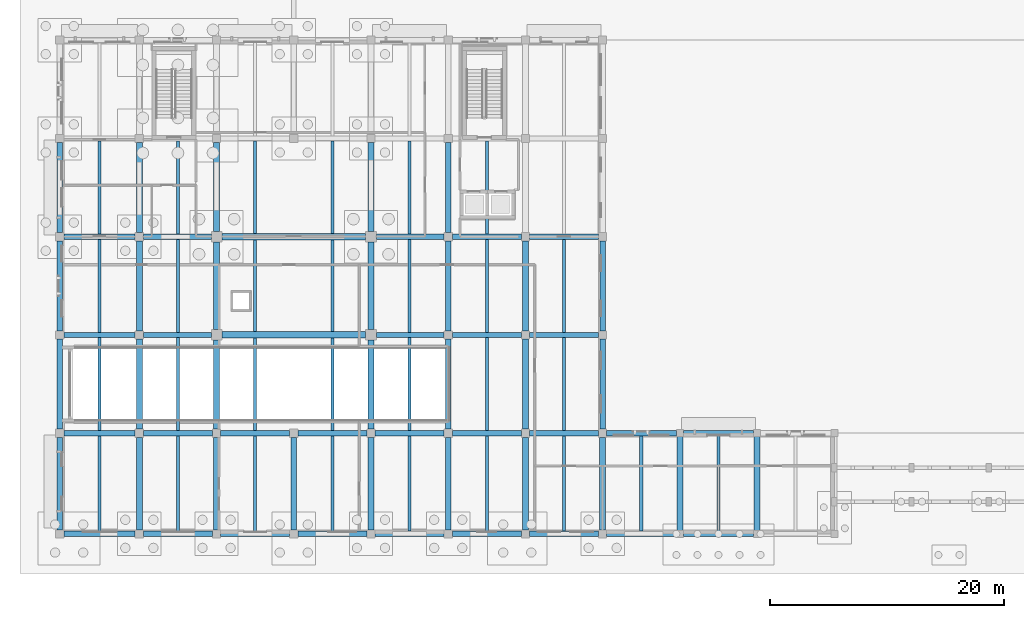
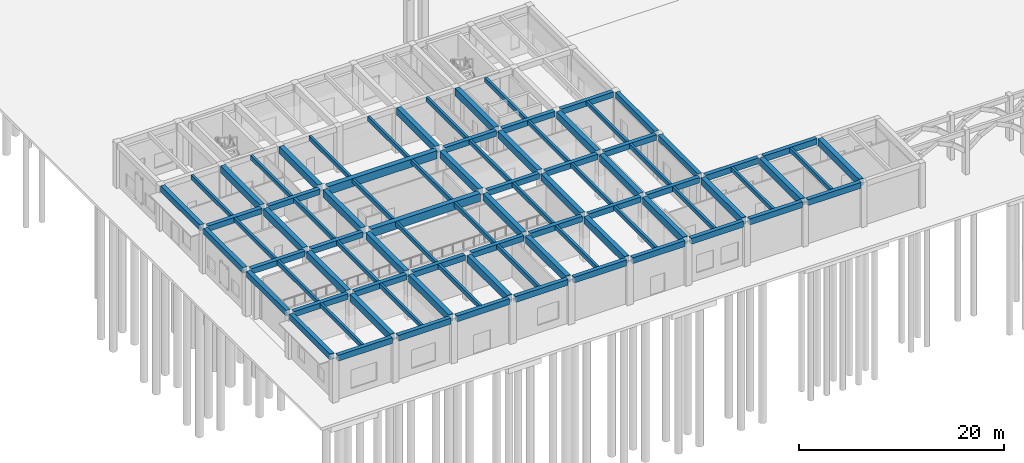
# One storey, part 21 of 82: 88 beams.
"""IFC4 building model written with IfcOpenShell, lengths in metres."""

from ifc_helpers import new_model, si_unit, direction, frame, origin, origin_2d, place, context, subcontext, project, spatial, rectangle, extrude, material, material_profile, profile_set, type_object, element, save


model = new_model("IFC4")

# Units and contexts
model_context = context("Model", 3, precision=1e-05, world=origin(), true_north=direction((0.0, 1.0)))
body_context = subcontext(model_context, "Body", "Model", "MODEL_VIEW")
ifc_project = project(units=[si_unit("LENGTHUNIT", "METRE"), si_unit("AREAUNIT", "SQUARE_METRE"), si_unit("VOLUMEUNIT", "CUBIC_METRE"), si_unit("PLANEANGLEUNIT", "RADIAN"), si_unit("MASSUNIT", "GRAM", prefix="KILO")], contexts=[model_context])

# Site, building, storey
site_placement = place(None, origin())
site = spatial("IfcSite", under=ifc_project, at=site_placement, CompositionType="ELEMENT")
building_placement = place(site_placement, origin())
building = spatial("IfcBuilding", under=site, at=building_placement, Name="Kolvaren Faculty of Natural Sciences", CompositionType="ELEMENT")
storey_placement = place(building_placement, origin())
storey = spatial("IfcBuildingStorey", under=building, at=storey_placement, Name="L00", CompositionType="ELEMENT", Elevation=0.0)

# Beams
ifc_material_1 = material(Name="Concrete C35/45", Category="concrete")
ifc_material_profile_1 = material_profile(ifc_material_1, rectangle(XDim=0.449951171875, YDim=0.64990234375, at=origin_2d()), Name="RC BM 450x650")
ifc_profile_set_1 = profile_set([ifc_material_profile_1], Name="Concrete C35/45")
beam_type_1 = type_object("IfcBeamType", Name="GridBeam_450x650", PredefinedType="BEAM", material=ifc_profile_set_1)
beam_1_placement = place(storey_placement, frame((0.35009765625, 8.60009765625, 5.074951171875), z_axis=(1.0, 0.0, 0.0), x_axis=(0.0, 1.0, 0.0)))
element("IfcBeam", 1, at=beam_1_placement, inside=storey, type_object=beam_type_1, Name="L00 beam BM-65 on grid B", PredefinedType="BEAM", context=body_context, shape_type="SweptSolid", body=[
    extrude(rectangle(XDim=0.449951171875, YDim=0.64990234375, at=origin_2d()), origin(), (0.0, 0.0, 1.0), 6.099853515625),
])
beam_2_placement = place(storey_placement, frame((7.14990234375, 8.60009765625, 5.074951171875), z_axis=(1.0, 0.0, 0.0), x_axis=(0.0, 1.0, 0.0)))
element("IfcBeam", 2, at=beam_2_placement, inside=storey, type_object=beam_type_1, Name="L00 beam BM-65 on grid B", PredefinedType="BEAM", context=body_context, shape_type="SweptSolid", body=[
    extrude(rectangle(XDim=0.449951171875, YDim=0.64990234375, at=origin_2d()), origin(), (0.0, 0.0, 1.0), 5.900146484375),
])
for number, where, z_axis, x_axis, name in (
    (3, (13.75, 8.60009765625, 5.074951171875), (1.0, 0.0, 0.0), (0.0, 1.0, 0.0), "L00 beam BM-65 on grid B"),
    (4, (20.35009765625, 8.60009765625, 5.074951171875), (1.0, 0.0, 0.0), (0.0, 1.0, 0.0), "L00 beam BM-65 on grid B"),
):
    element("IfcBeam", number, at=place(storey_placement, frame(where, z_axis=z_axis, x_axis=x_axis)), inside=storey, type_object=beam_type_1, Name=name, PredefinedType="BEAM", context=body_context, shape_type="SweptSolid", body=[
        extrude(rectangle(XDim=0.449951171875, YDim=0.64990234375, at=origin_2d()), origin(), (0.0, 0.0, 1.0), 5.89990234375),
    ])
beam_3_placement = place(storey_placement, frame((26.949951171875, 8.60009765625, 5.074951171875), z_axis=(1.0, 0.0, 0.0), x_axis=(0.0, 1.0, 0.0)))
element("IfcBeam", 5, at=beam_3_placement, inside=storey, type_object=beam_type_1, Name="L00 beam BM-65 on grid B", PredefinedType="BEAM", context=body_context, shape_type="SweptSolid", body=[
    extrude(rectangle(XDim=0.449951171875, YDim=0.64990234375, at=origin_2d()), origin(), (0.0, 0.0, 1.0), 5.900146484375),
])
beam_4_placement = place(storey_placement, frame((33.550048828125, 8.60009765625, 5.074951171875), z_axis=(1.0, 0.0, 0.0), x_axis=(0.0, 1.0, 0.0)))
element("IfcBeam", 6, at=beam_4_placement, inside=storey, type_object=beam_type_1, Name="L00 beam BM-65 on grid B", PredefinedType="BEAM", context=body_context, shape_type="SweptSolid", body=[
    extrude(rectangle(XDim=0.449951171875, YDim=0.64990234375, at=origin_2d()), origin(), (0.0, 0.0, 1.0), 5.89990234375),
])
beam_5_placement = place(storey_placement, frame((40.14990234375, 8.60009765625, 5.074951171875), z_axis=(1.0, 0.0, 0.0), x_axis=(0.0, 1.0, 0.0)))
element("IfcBeam", 7, at=beam_5_placement, inside=storey, type_object=beam_type_1, Name="L00 beam BM-65 on grid B", PredefinedType="BEAM", context=body_context, shape_type="SweptSolid", body=[
    extrude(rectangle(XDim=0.449951171875, YDim=0.64990234375, at=origin_2d()), origin(), (0.0, 0.0, 1.0), 5.900146484375),
])
beam_6_placement = place(storey_placement, frame((0.35009765625, 17.0, 5.074951171875), z_axis=(1.0, 0.0, 0.0), x_axis=(0.0, 1.0, 0.0)))
element("IfcBeam", 8, at=beam_6_placement, inside=storey, type_object=beam_type_1, Name="L00 beam BM-65 on grid C", PredefinedType="BEAM", context=body_context, shape_type="SweptSolid", body=[
    extrude(rectangle(XDim=0.449951171875, YDim=0.64990234375, at=origin_2d()), origin(), (0.0, 0.0, 1.0), 6.099853515625),
])
for number, where, z_axis, x_axis, name in (
    (9, (7.14990234375, 17.0, 5.074951171875), (1.0, 0.0, 0.0), (0.0, 1.0, 0.0), "L00 beam BM-65 on grid C"),
    (10, (27.050048828125, 17.0, 5.074951171875), (1.0, 0.0, 0.0), (0.0, 1.0, 0.0), "L00 beam BM-65 on grid C"),
):
    element("IfcBeam", number, at=place(storey_placement, frame(where, z_axis=z_axis, x_axis=x_axis)), inside=storey, type_object=beam_type_1, Name=name, PredefinedType="BEAM", context=body_context, shape_type="SweptSolid", body=[
        extrude(rectangle(XDim=0.449951171875, YDim=0.64990234375, at=origin_2d()), origin(), (0.0, 0.0, 1.0), 5.800048828125),
    ])
beam_7_placement = place(storey_placement, frame((33.550048828125, 17.0, 5.074951171875), z_axis=(1.0, 0.0, 0.0), x_axis=(0.0, 1.0, 0.0)))
element("IfcBeam", 11, at=beam_7_placement, inside=storey, type_object=beam_type_1, Name="L00 beam BM-65 on grid C", PredefinedType="BEAM", context=body_context, shape_type="SweptSolid", body=[
    extrude(rectangle(XDim=0.449951171875, YDim=0.64990234375, at=origin_2d()), origin(), (0.0, 0.0, 1.0), 5.89990234375),
])
beam_8_placement = place(storey_placement, frame((40.14990234375, 17.0, 5.074951171875), z_axis=(1.0, 0.0, 0.0), x_axis=(0.0, 1.0, 0.0)))
element("IfcBeam", 12, at=beam_8_placement, inside=storey, type_object=beam_type_1, Name="L00 beam BM-65 on grid C", PredefinedType="BEAM", context=body_context, shape_type="SweptSolid", body=[
    extrude(rectangle(XDim=0.449951171875, YDim=0.64990234375, at=origin_2d()), origin(), (0.0, 0.0, 1.0), 5.900146484375),
])
beam_9_placement = place(storey_placement, frame((0.35009765625, 25.39990234375, 5.074951171875), z_axis=(1.0, 0.0, 0.0), x_axis=(0.0, 1.0, 0.0)))
element("IfcBeam", 13, at=beam_9_placement, inside=storey, type_object=beam_type_1, Name="L00 beam BM-65 on grid D", PredefinedType="BEAM", context=body_context, shape_type="SweptSolid", body=[
    extrude(rectangle(XDim=0.449951171875, YDim=0.64990234375, at=origin_2d()), origin(), (0.0, 0.0, 1.0), 6.099853515625),
])
for number, where, z_axis, x_axis, name in (
    (14, (7.14990234375, 25.39990234375, 5.074951171875), (1.0, 0.0, 0.0), (0.0, 1.0, 0.0), "L00 beam BM-65 on grid D"),
    (15, (27.050048828125, 25.39990234375, 5.074951171875), (1.0, 0.0, 0.0), (0.0, 1.0, 0.0), "L00 beam BM-65 on grid D"),
):
    element("IfcBeam", number, at=place(storey_placement, frame(where, z_axis=z_axis, x_axis=x_axis)), inside=storey, type_object=beam_type_1, Name=name, PredefinedType="BEAM", context=body_context, shape_type="SweptSolid", body=[
        extrude(rectangle(XDim=0.449951171875, YDim=0.64990234375, at=origin_2d()), origin(), (0.0, 0.0, 1.0), 5.800048828125),
    ])
beam_10_placement = place(storey_placement, frame((33.550048828125, 25.39990234375, 5.074951171875), z_axis=(1.0, 0.0, 0.0), x_axis=(0.0, 1.0, 0.0)))
element("IfcBeam", 16, at=beam_10_placement, inside=storey, type_object=beam_type_1, Name="L00 beam BM-65 on grid D", PredefinedType="BEAM", context=body_context, shape_type="SweptSolid", body=[
    extrude(rectangle(XDim=0.449951171875, YDim=0.64990234375, at=origin_2d()), origin(), (0.0, 0.0, 1.0), 5.89990234375),
])
beam_11_placement = place(storey_placement, frame((40.14990234375, 25.39990234375, 5.074951171875), z_axis=(1.0, 0.0, 0.0), x_axis=(0.0, 1.0, 0.0)))
element("IfcBeam", 17, at=beam_11_placement, inside=storey, type_object=beam_type_1, Name="L00 beam BM-65 on grid D", PredefinedType="BEAM", context=body_context, shape_type="SweptSolid", body=[
    extrude(rectangle(XDim=0.449951171875, YDim=0.64990234375, at=origin_2d()), origin(), (0.0, 0.0, 1.0), 5.900146484375),
])
ifc_material_2 = material(Name="Concrete C40/50", Category="concrete")
ifc_material_profile_2 = material_profile(ifc_material_2, rectangle(XDim=0.550048828125, YDim=0.949951171875, at=origin_2d()), Name="RC BM 550x950")
ifc_profile_set_2 = profile_set([ifc_material_profile_2], Name="Concrete C40/50")
beam_type_2 = type_object("IfcBeamType", Name="HallGirder_550x950", PredefinedType="BEAM", material=ifc_profile_set_2)
for number, where, z_axis, x_axis, name in (
    (18, (13.85009765625, 17.0, 4.925048828125), (1.0, 0.0, 0.0), (0.0, 1.0, 0.0), "L00 beam BG-95 on grid C"),
    (19, (13.85009765625, 25.39990234375, 4.925048828125), (1.0, 0.0, 0.0), (0.0, 1.0, 0.0), "L00 beam BG-95 on grid D"),
):
    element("IfcBeam", number, at=place(storey_placement, frame(where, z_axis=z_axis, x_axis=x_axis)), inside=storey, type_object=beam_type_2, Name=name, PredefinedType="BEAM", context=body_context, shape_type="SweptSolid", body=[
        extrude(rectangle(XDim=0.550048828125, YDim=0.949951171875, at=origin_2d()), origin(), (0.0, 0.0, 1.0), 12.2998046875),
    ])
ifc_material_profile_3 = material_profile(ifc_material_1, rectangle(XDim=0.260009765625, YDim=0.5, at=origin_2d()), Name="RC JST 260x500")
ifc_profile_set_3 = profile_set([ifc_material_profile_3], Name="Concrete C35/45")
beam_type_3 = type_object("IfcBeamType", Name="LabRibJoist_260x500", PredefinedType="JOIST", material=ifc_profile_set_3)
beam_12_placement = place(storey_placement, frame((3.39990234375, 0.22509765625, 5.14990234375), z_axis=(0.0, 1.0, 0.0), x_axis=(-1.0, 0.0, 0.0)))
element("IfcBeam", 20, at=beam_12_placement, inside=storey, type_object=beam_type_3, Name="L00 ribbed laboratory slab joist JS-50", PredefinedType="JOIST", context=body_context, shape_type="SweptSolid", body=[
    extrude(rectangle(XDim=0.260009765625, YDim=0.5, at=origin_2d()), origin(), (0.0, 0.0, 1.0), 8.14990234375),
])
for number, where, z_axis, x_axis, name in (
    (21, (3.39990234375, 8.824951171875, 5.14990234375), (0.0, 1.0, 0.0), (-1.0, 0.0, 0.0), "L00 ribbed laboratory slab joist JS-50"),
    (22, (3.39990234375, 17.22509765625, 5.14990234375), (0.0, 1.0, 0.0), (-1.0, 0.0, 0.0), "L00 ribbed laboratory slab joist JS-50"),
    (23, (3.39990234375, 25.625, 5.14990234375), (0.0, 1.0, 0.0), (-1.0, 0.0, 0.0), "L00 ribbed laboratory slab joist JS-50"),
):
    element("IfcBeam", number, at=place(storey_placement, frame(where, z_axis=z_axis, x_axis=x_axis)), inside=storey, type_object=beam_type_3, Name=name, PredefinedType="JOIST", context=body_context, shape_type="SweptSolid", body=[
        extrude(rectangle(XDim=0.260009765625, YDim=0.5, at=origin_2d()), origin(), (0.0, 0.0, 1.0), 7.949951171875),
    ])
beam_13_placement = place(storey_placement, frame((10.10009765625, 0.22509765625, 5.14990234375), z_axis=(0.0, 1.0, 0.0), x_axis=(-1.0, 0.0, 0.0)))
element("IfcBeam", 24, at=beam_13_placement, inside=storey, type_object=beam_type_3, Name="L00 ribbed laboratory slab joist JS-50", PredefinedType="JOIST", context=body_context, shape_type="SweptSolid", body=[
    extrude(rectangle(XDim=0.260009765625, YDim=0.5, at=origin_2d()), origin(), (0.0, 0.0, 1.0), 8.14990234375),
])
for number, where, z_axis, x_axis, name in (
    (25, (10.10009765625, 8.824951171875, 5.14990234375), (0.0, 1.0, 0.0), (-1.0, 0.0, 0.0), "L00 ribbed laboratory slab joist JS-50"),
    (26, (10.10009765625, 17.22509765625, 5.14990234375), (0.0, 1.0, 0.0), (-1.0, 0.0, 0.0), "L00 ribbed laboratory slab joist JS-50"),
    (27, (10.10009765625, 25.625, 5.14990234375), (0.0, 1.0, 0.0), (-1.0, 0.0, 0.0), "L00 ribbed laboratory slab joist JS-50"),
):
    element("IfcBeam", number, at=place(storey_placement, frame(where, z_axis=z_axis, x_axis=x_axis)), inside=storey, type_object=beam_type_3, Name=name, PredefinedType="JOIST", context=body_context, shape_type="SweptSolid", body=[
        extrude(rectangle(XDim=0.260009765625, YDim=0.5, at=origin_2d()), origin(), (0.0, 0.0, 1.0), 7.949951171875),
    ])
beam_14_placement = place(storey_placement, frame((16.699951171875, 0.22509765625, 5.14990234375), z_axis=(0.0, 1.0, 0.0), x_axis=(-1.0, 0.0, 0.0)))
element("IfcBeam", 28, at=beam_14_placement, inside=storey, type_object=beam_type_3, Name="L00 ribbed laboratory slab joist JS-50", PredefinedType="JOIST", context=body_context, shape_type="SweptSolid", body=[
    extrude(rectangle(XDim=0.260009765625, YDim=0.5, at=origin_2d()), origin(), (0.0, 0.0, 1.0), 8.14990234375),
])
beam_15_placement = place(storey_placement, frame((16.699951171875, 8.824951171875, 5.14990234375), z_axis=(0.0, 1.0, 0.0), x_axis=(-1.0, 0.0, 0.0)))
element("IfcBeam", 29, at=beam_15_placement, inside=storey, type_object=beam_type_3, Name="L00 ribbed laboratory slab joist JS-50", PredefinedType="JOIST", context=body_context, shape_type="SweptSolid", body=[
    extrude(rectangle(XDim=0.260009765625, YDim=0.5, at=origin_2d()), origin(), (0.0, 0.0, 1.0), 7.900146484375),
])
beam_16_placement = place(storey_placement, frame((16.699951171875, 17.27490234375, 5.14990234375), z_axis=(0.0, 1.0, 0.0), x_axis=(-1.0, 0.0, 0.0)))
element("IfcBeam", 30, at=beam_16_placement, inside=storey, type_object=beam_type_3, Name="L00 ribbed laboratory slab joist JS-50", PredefinedType="JOIST", context=body_context, shape_type="SweptSolid", body=[
    extrude(rectangle(XDim=0.260009765625, YDim=0.5, at=origin_2d()), origin(), (0.0, 0.0, 1.0), 7.85009765625),
])
beam_17_placement = place(storey_placement, frame((16.699951171875, 25.675048828125, 5.14990234375), z_axis=(0.0, 1.0, 0.0), x_axis=(-1.0, 0.0, 0.0)))
element("IfcBeam", 31, at=beam_17_placement, inside=storey, type_object=beam_type_3, Name="L00 ribbed laboratory slab joist JS-50", PredefinedType="JOIST", context=body_context, shape_type="SweptSolid", body=[
    extrude(rectangle(XDim=0.260009765625, YDim=0.5, at=origin_2d()), origin(), (0.0, 0.0, 1.0), 7.89990234375),
])
beam_18_placement = place(storey_placement, frame((23.300048828125, 0.22509765625, 5.14990234375), z_axis=(0.0, 1.0, 0.0), x_axis=(-1.0, 0.0, 0.0)))
element("IfcBeam", 32, at=beam_18_placement, inside=storey, type_object=beam_type_3, Name="L00 ribbed laboratory slab joist JS-50", PredefinedType="JOIST", context=body_context, shape_type="SweptSolid", body=[
    extrude(rectangle(XDim=0.260009765625, YDim=0.5, at=origin_2d()), origin(), (0.0, 0.0, 1.0), 8.14990234375),
])
beam_19_placement = place(storey_placement, frame((23.300048828125, 8.824951171875, 5.14990234375), z_axis=(0.0, 1.0, 0.0), x_axis=(-1.0, 0.0, 0.0)))
element("IfcBeam", 33, at=beam_19_placement, inside=storey, type_object=beam_type_3, Name="L00 ribbed laboratory slab joist JS-50", PredefinedType="JOIST", context=body_context, shape_type="SweptSolid", body=[
    extrude(rectangle(XDim=0.260009765625, YDim=0.5, at=origin_2d()), origin(), (0.0, 0.0, 1.0), 7.900146484375),
])
beam_20_placement = place(storey_placement, frame((23.300048828125, 17.27490234375, 5.14990234375), z_axis=(0.0, 1.0, 0.0), x_axis=(-1.0, 0.0, 0.0)))
element("IfcBeam", 34, at=beam_20_placement, inside=storey, type_object=beam_type_3, Name="L00 ribbed laboratory slab joist JS-50", PredefinedType="JOIST", context=body_context, shape_type="SweptSolid", body=[
    extrude(rectangle(XDim=0.260009765625, YDim=0.5, at=origin_2d()), origin(), (0.0, 0.0, 1.0), 7.85009765625),
])
beam_21_placement = place(storey_placement, frame((23.300048828125, 25.675048828125, 5.14990234375), z_axis=(0.0, 1.0, 0.0), x_axis=(-1.0, 0.0, 0.0)))
element("IfcBeam", 35, at=beam_21_placement, inside=storey, type_object=beam_type_3, Name="L00 ribbed laboratory slab joist JS-50", PredefinedType="JOIST", context=body_context, shape_type="SweptSolid", body=[
    extrude(rectangle(XDim=0.260009765625, YDim=0.5, at=origin_2d()), origin(), (0.0, 0.0, 1.0), 7.89990234375),
])
beam_22_placement = place(storey_placement, frame((29.89990234375, 0.22509765625, 5.14990234375), z_axis=(0.0, 1.0, 0.0), x_axis=(-1.0, 0.0, 0.0)))
element("IfcBeam", 36, at=beam_22_placement, inside=storey, type_object=beam_type_3, Name="L00 ribbed laboratory slab joist JS-50", PredefinedType="JOIST", context=body_context, shape_type="SweptSolid", body=[
    extrude(rectangle(XDim=0.260009765625, YDim=0.5, at=origin_2d()), origin(), (0.0, 0.0, 1.0), 8.14990234375),
])
for number, where, z_axis, x_axis, name in (
    (37, (29.89990234375, 8.824951171875, 5.14990234375), (0.0, 1.0, 0.0), (-1.0, 0.0, 0.0), "L00 ribbed laboratory slab joist JS-50"),
    (38, (29.89990234375, 17.22509765625, 5.14990234375), (0.0, 1.0, 0.0), (-1.0, 0.0, 0.0), "L00 ribbed laboratory slab joist JS-50"),
    (39, (29.89990234375, 25.625, 5.14990234375), (0.0, 1.0, 0.0), (-1.0, 0.0, 0.0), "L00 ribbed laboratory slab joist JS-50"),
):
    element("IfcBeam", number, at=place(storey_placement, frame(where, z_axis=z_axis, x_axis=x_axis)), inside=storey, type_object=beam_type_3, Name=name, PredefinedType="JOIST", context=body_context, shape_type="SweptSolid", body=[
        extrude(rectangle(XDim=0.260009765625, YDim=0.5, at=origin_2d()), origin(), (0.0, 0.0, 1.0), 7.949951171875),
    ])
beam_23_placement = place(storey_placement, frame((36.5, 0.22509765625, 5.14990234375), z_axis=(0.0, 1.0, 0.0), x_axis=(-1.0, 0.0, 0.0)))
element("IfcBeam", 40, at=beam_23_placement, inside=storey, type_object=beam_type_3, Name="L00 ribbed laboratory slab joist JS-50", PredefinedType="JOIST", context=body_context, shape_type="SweptSolid", body=[
    extrude(rectangle(XDim=0.260009765625, YDim=0.5, at=origin_2d()), origin(), (0.0, 0.0, 1.0), 8.14990234375),
])
for number, where, z_axis, x_axis, name in (
    (41, (36.5, 8.824951171875, 5.14990234375), (0.0, 1.0, 0.0), (-1.0, 0.0, 0.0), "L00 ribbed laboratory slab joist JS-50"),
    (42, (36.5, 17.22509765625, 5.14990234375), (0.0, 1.0, 0.0), (-1.0, 0.0, 0.0), "L00 ribbed laboratory slab joist JS-50"),
    (43, (36.5, 25.625, 5.14990234375), (0.0, 1.0, 0.0), (-1.0, 0.0, 0.0), "L00 ribbed laboratory slab joist JS-50"),
):
    element("IfcBeam", number, at=place(storey_placement, frame(where, z_axis=z_axis, x_axis=x_axis)), inside=storey, type_object=beam_type_3, Name=name, PredefinedType="JOIST", context=body_context, shape_type="SweptSolid", body=[
        extrude(rectangle(XDim=0.260009765625, YDim=0.5, at=origin_2d()), origin(), (0.0, 0.0, 1.0), 7.949951171875),
    ])
beam_24_placement = place(storey_placement, frame((43.10009765625, 0.22509765625, 5.14990234375), z_axis=(0.0, 1.0, 0.0), x_axis=(-1.0, 0.0, 0.0)))
element("IfcBeam", 44, at=beam_24_placement, inside=storey, type_object=beam_type_3, Name="L00 ribbed laboratory slab joist JS-50", PredefinedType="JOIST", context=body_context, shape_type="SweptSolid", body=[
    extrude(rectangle(XDim=0.260009765625, YDim=0.5, at=origin_2d()), origin(), (0.0, 0.0, 1.0), 8.14990234375),
])
for number, where, z_axis, x_axis, name in (
    (45, (43.10009765625, 8.824951171875, 5.14990234375), (0.0, 1.0, 0.0), (-1.0, 0.0, 0.0), "L00 ribbed laboratory slab joist JS-50"),
    (46, (43.10009765625, 17.22509765625, 5.14990234375), (0.0, 1.0, 0.0), (-1.0, 0.0, 0.0), "L00 ribbed laboratory slab joist JS-50"),
):
    element("IfcBeam", number, at=place(storey_placement, frame(where, z_axis=z_axis, x_axis=x_axis)), inside=storey, type_object=beam_type_3, Name=name, PredefinedType="JOIST", context=body_context, shape_type="SweptSolid", body=[
        extrude(rectangle(XDim=0.260009765625, YDim=0.5, at=origin_2d()), origin(), (0.0, 0.0, 1.0), 7.949951171875),
    ])
for number, where, z_axis, x_axis, name in (
    (47, (49.699951171875, 0.22509765625, 5.14990234375), (0.0, 1.0, 0.0), (-1.0, 0.0, 0.0), "L00 ribbed laboratory slab joist JS-50"),
    (48, (56.300048828125, 0.22509765625, 5.14990234375), (0.0, 1.0, 0.0), (-1.0, 0.0, 0.0), "L00 ribbed laboratory slab joist JS-50"),
):
    element("IfcBeam", number, at=place(storey_placement, frame(where, z_axis=z_axis, x_axis=x_axis)), inside=storey, type_object=beam_type_3, Name=name, PredefinedType="JOIST", context=body_context, shape_type="SweptSolid", body=[
        extrude(rectangle(XDim=0.260009765625, YDim=0.5, at=origin_2d()), origin(), (0.0, 0.0, 1.0), 8.14990234375),
    ])
ifc_material_profile_4 = material_profile(ifc_material_1, rectangle(XDim=0.449951171875, YDim=0.699951171875, at=origin_2d()), Name="RC SP 450x700")
ifc_profile_set_4 = profile_set([ifc_material_profile_4], Name="Concrete C35/45")
beam_type_4 = type_object("IfcBeamType", Name="PerimeterSpandrel_450x700", PredefinedType="SPANDREL", material=ifc_profile_set_4)
beam_25_placement = place(storey_placement, frame((0.35009765625, 0.0, 5.050048828125), z_axis=(1.0, 0.0, 0.0), x_axis=(0.0, 1.0, 0.0)))
element("IfcBeam", 49, at=beam_25_placement, inside=storey, type_object=beam_type_4, Name="L00 spandrel SP-70 on grid A", PredefinedType="SPANDREL", context=body_context, shape_type="SweptSolid", body=[
    extrude(rectangle(XDim=0.449951171875, YDim=0.699951171875, at=origin_2d()), origin(), (0.0, 0.0, 1.0), 6.099853515625),
])
beam_26_placement = place(storey_placement, frame((7.14990234375, 0.0, 5.050048828125), z_axis=(1.0, 0.0, 0.0), x_axis=(0.0, 1.0, 0.0)))
element("IfcBeam", 50, at=beam_26_placement, inside=storey, type_object=beam_type_4, Name="L00 spandrel SP-70 on grid A", PredefinedType="SPANDREL", context=body_context, shape_type="SweptSolid", body=[
    extrude(rectangle(XDim=0.449951171875, YDim=0.699951171875, at=origin_2d()), origin(), (0.0, 0.0, 1.0), 5.900146484375),
])
for number, where, z_axis, x_axis, name in (
    (51, (13.75, 0.0, 5.050048828125), (1.0, 0.0, 0.0), (0.0, 1.0, 0.0), "L00 spandrel SP-70 on grid A"),
    (52, (20.35009765625, 0.0, 5.050048828125), (1.0, 0.0, 0.0), (0.0, 1.0, 0.0), "L00 spandrel SP-70 on grid A"),
):
    element("IfcBeam", number, at=place(storey_placement, frame(where, z_axis=z_axis, x_axis=x_axis)), inside=storey, type_object=beam_type_4, Name=name, PredefinedType="SPANDREL", context=body_context, shape_type="SweptSolid", body=[
        extrude(rectangle(XDim=0.449951171875, YDim=0.699951171875, at=origin_2d()), origin(), (0.0, 0.0, 1.0), 5.89990234375),
    ])
beam_27_placement = place(storey_placement, frame((26.949951171875, 0.0, 5.050048828125), z_axis=(1.0, 0.0, 0.0), x_axis=(0.0, 1.0, 0.0)))
element("IfcBeam", 53, at=beam_27_placement, inside=storey, type_object=beam_type_4, Name="L00 spandrel SP-70 on grid A", PredefinedType="SPANDREL", context=body_context, shape_type="SweptSolid", body=[
    extrude(rectangle(XDim=0.449951171875, YDim=0.699951171875, at=origin_2d()), origin(), (0.0, 0.0, 1.0), 5.900146484375),
])
beam_28_placement = place(storey_placement, frame((33.550048828125, 0.0, 5.050048828125), z_axis=(1.0, 0.0, 0.0), x_axis=(0.0, 1.0, 0.0)))
element("IfcBeam", 54, at=beam_28_placement, inside=storey, type_object=beam_type_4, Name="L00 spandrel SP-70 on grid A", PredefinedType="SPANDREL", context=body_context, shape_type="SweptSolid", body=[
    extrude(rectangle(XDim=0.449951171875, YDim=0.699951171875, at=origin_2d()), origin(), (0.0, 0.0, 1.0), 5.89990234375),
])
beam_29_placement = place(storey_placement, frame((40.14990234375, 0.0, 5.050048828125), z_axis=(1.0, 0.0, 0.0), x_axis=(0.0, 1.0, 0.0)))
element("IfcBeam", 55, at=beam_29_placement, inside=storey, type_object=beam_type_4, Name="L00 spandrel SP-70 on grid A", PredefinedType="SPANDREL", context=body_context, shape_type="SweptSolid", body=[
    extrude(rectangle(XDim=0.449951171875, YDim=0.699951171875, at=origin_2d()), origin(), (0.0, 0.0, 1.0), 5.900146484375),
])
beam_30_placement = place(storey_placement, frame((46.75, 0.0, 5.050048828125), z_axis=(1.0, 0.0, 0.0), x_axis=(0.0, 1.0, 0.0)))
element("IfcBeam", 56, at=beam_30_placement, inside=storey, type_object=beam_type_4, Name="L00 spandrel SP-70 on grid A", PredefinedType="SPANDREL", context=body_context, shape_type="SweptSolid", body=[
    extrude(rectangle(XDim=0.449951171875, YDim=0.699951171875, at=origin_2d()), origin(), (0.0, 0.0, 1.0), 5.949951171875),
])
beam_31_placement = place(storey_placement, frame((53.300048828125, 0.0, 5.050048828125), z_axis=(1.0, 0.0, 0.0), x_axis=(0.0, 1.0, 0.0)))
element("IfcBeam", 57, at=beam_31_placement, inside=storey, type_object=beam_type_4, Name="L00 spandrel SP-70 on grid A", PredefinedType="SPANDREL", context=body_context, shape_type="SweptSolid", body=[
    extrude(rectangle(XDim=0.449951171875, YDim=0.699951171875, at=origin_2d()), origin(), (0.0, 0.0, 1.0), 6.0),
])
beam_32_placement = place(storey_placement, frame((46.75, 8.60009765625, 5.050048828125), z_axis=(1.0, 0.0, 0.0), x_axis=(0.0, 1.0, 0.0)))
element("IfcBeam", 58, at=beam_32_placement, inside=storey, type_object=beam_type_4, Name="L00 spandrel SP-70 on grid B", PredefinedType="SPANDREL", context=body_context, shape_type="SweptSolid", body=[
    extrude(rectangle(XDim=0.449951171875, YDim=0.699951171875, at=origin_2d()), origin(), (0.0, 0.0, 1.0), 5.949951171875),
])
beam_33_placement = place(storey_placement, frame((53.300048828125, 8.60009765625, 5.050048828125), z_axis=(1.0, 0.0, 0.0), x_axis=(0.0, 1.0, 0.0)))
element("IfcBeam", 59, at=beam_33_placement, inside=storey, type_object=beam_type_4, Name="L00 spandrel SP-70 on grid B", PredefinedType="SPANDREL", context=body_context, shape_type="SweptSolid", body=[
    extrude(rectangle(XDim=0.449951171875, YDim=0.699951171875, at=origin_2d()), origin(), (0.0, 0.0, 1.0), 6.0),
])
beam_34_placement = place(storey_placement, frame((0.0, 0.35009765625, 5.050048828125), z_axis=(0.0, 1.0, 0.0), x_axis=(-1.0, 0.0, 0.0)))
element("IfcBeam", 60, at=beam_34_placement, inside=storey, type_object=beam_type_4, Name="L00 girder SP-70 on grid 1", PredefinedType="SPANDREL", context=body_context, shape_type="SweptSolid", body=[
    extrude(rectangle(XDim=0.449951171875, YDim=0.699951171875, at=origin_2d()), origin(), (0.0, 0.0, 1.0), 7.89990234375),
])
for number, where, z_axis, x_axis, name in (
    (61, (0.0, 8.949951171875, 5.050048828125), (0.0, 1.0, 0.0), (-1.0, 0.0, 0.0), "L00 girder SP-70 on grid 1"),
    (62, (0.0, 17.35009765625, 5.050048828125), (0.0, 1.0, 0.0), (-1.0, 0.0, 0.0), "L00 girder SP-70 on grid 1"),
    (63, (0.0, 25.75, 5.050048828125), (0.0, 1.0, 0.0), (-1.0, 0.0, 0.0), "L00 girder SP-70 on grid 1"),
    (64, (46.39990234375, 8.949951171875, 5.050048828125), (0.0, 1.0, 0.0), (-1.0, 0.0, 0.0), "L00 girder SP-70 on grid 8"),
    (65, (46.39990234375, 17.35009765625, 5.050048828125), (0.0, 1.0, 0.0), (-1.0, 0.0, 0.0), "L00 girder SP-70 on grid 8"),
):
    element("IfcBeam", number, at=place(storey_placement, frame(where, z_axis=z_axis, x_axis=x_axis)), inside=storey, type_object=beam_type_4, Name=name, PredefinedType="SPANDREL", context=body_context, shape_type="SweptSolid", body=[
        extrude(rectangle(XDim=0.449951171875, YDim=0.699951171875, at=origin_2d()), origin(), (0.0, 0.0, 1.0), 7.699951171875),
    ])
ifc_material_profile_5 = material_profile(ifc_material_1, rectangle(XDim=0.5, YDim=0.85009765625, at=origin_2d()), Name="RC BM 500x850")
ifc_profile_set_5 = profile_set([ifc_material_profile_5], Name="Concrete C35/45")
beam_type_5 = type_object("IfcBeamType", Name="PrimaryGirder_500x850", PredefinedType="BEAM", material=ifc_profile_set_5)
beam_35_placement = place(storey_placement, frame((6.800048828125, 0.35009765625, 4.97509765625), z_axis=(0.0, 1.0, 0.0), x_axis=(-1.0, 0.0, 0.0)))
element("IfcBeam", 66, at=beam_35_placement, inside=storey, type_object=beam_type_5, Name="L00 girder BG-85 on grid 2", PredefinedType="BEAM", context=body_context, shape_type="SweptSolid", body=[
    extrude(rectangle(XDim=0.5, YDim=0.85009765625, at=origin_2d()), origin(), (0.0, 0.0, 1.0), 7.89990234375),
])
for number, where, z_axis, x_axis, name in (
    (67, (6.800048828125, 8.949951171875, 4.97509765625), (0.0, 1.0, 0.0), (-1.0, 0.0, 0.0), "L00 girder BG-85 on grid 2"),
    (68, (6.800048828125, 17.35009765625, 4.97509765625), (0.0, 1.0, 0.0), (-1.0, 0.0, 0.0), "L00 girder BG-85 on grid 2"),
    (69, (6.800048828125, 25.75, 4.97509765625), (0.0, 1.0, 0.0), (-1.0, 0.0, 0.0), "L00 girder BG-85 on grid 2"),
):
    element("IfcBeam", number, at=place(storey_placement, frame(where, z_axis=z_axis, x_axis=x_axis)), inside=storey, type_object=beam_type_5, Name=name, PredefinedType="BEAM", context=body_context, shape_type="SweptSolid", body=[
        extrude(rectangle(XDim=0.5, YDim=0.85009765625, at=origin_2d()), origin(), (0.0, 0.0, 1.0), 7.699951171875),
    ])
beam_36_placement = place(storey_placement, frame((13.39990234375, 0.35009765625, 4.97509765625), z_axis=(0.0, 1.0, 0.0), x_axis=(-1.0, 0.0, 0.0)))
element("IfcBeam", 70, at=beam_36_placement, inside=storey, type_object=beam_type_5, Name="L00 girder BG-85 on grid 3", PredefinedType="BEAM", context=body_context, shape_type="SweptSolid", body=[
    extrude(rectangle(XDim=0.5, YDim=0.85009765625, at=origin_2d()), origin(), (0.0, 0.0, 1.0), 7.89990234375),
])
beam_37_placement = place(storey_placement, frame((13.39990234375, 8.949951171875, 4.97509765625), z_axis=(0.0, 1.0, 0.0), x_axis=(-1.0, 0.0, 0.0)))
element("IfcBeam", 71, at=beam_37_placement, inside=storey, type_object=beam_type_5, Name="L00 girder BG-85 on grid 3", PredefinedType="BEAM", context=body_context, shape_type="SweptSolid", body=[
    extrude(rectangle(XDim=0.5, YDim=0.85009765625, at=origin_2d()), origin(), (0.0, 0.0, 1.0), 7.60009765625),
])
beam_38_placement = place(storey_placement, frame((13.39990234375, 17.449951171875, 4.97509765625), z_axis=(0.0, 1.0, 0.0), x_axis=(-1.0, 0.0, 0.0)))
element("IfcBeam", 72, at=beam_38_placement, inside=storey, type_object=beam_type_5, Name="L00 girder BG-85 on grid 3", PredefinedType="BEAM", context=body_context, shape_type="SweptSolid", body=[
    extrude(rectangle(XDim=0.5, YDim=0.85009765625, at=origin_2d()), origin(), (0.0, 0.0, 1.0), 7.5),
])
beam_39_placement = place(storey_placement, frame((13.39990234375, 25.85009765625, 4.97509765625), z_axis=(0.0, 1.0, 0.0), x_axis=(-1.0, 0.0, 0.0)))
element("IfcBeam", 73, at=beam_39_placement, inside=storey, type_object=beam_type_5, Name="L00 girder BG-85 on grid 3", PredefinedType="BEAM", context=body_context, shape_type="SweptSolid", body=[
    extrude(rectangle(XDim=0.5, YDim=0.85009765625, at=origin_2d()), origin(), (0.0, 0.0, 1.0), 7.599853515625),
])
for number, where, z_axis, x_axis, name in (
    (74, (20.0, 0.35009765625, 4.97509765625), (0.0, 1.0, 0.0), (-1.0, 0.0, 0.0), "L00 girder BG-85 on grid 4"),
    (75, (26.60009765625, 0.35009765625, 4.97509765625), (0.0, 1.0, 0.0), (-1.0, 0.0, 0.0), "L00 girder BG-85 on grid 5"),
):
    element("IfcBeam", number, at=place(storey_placement, frame(where, z_axis=z_axis, x_axis=x_axis)), inside=storey, type_object=beam_type_5, Name=name, PredefinedType="BEAM", context=body_context, shape_type="SweptSolid", body=[
        extrude(rectangle(XDim=0.5, YDim=0.85009765625, at=origin_2d()), origin(), (0.0, 0.0, 1.0), 7.89990234375),
    ])
beam_40_placement = place(storey_placement, frame((26.60009765625, 8.949951171875, 4.97509765625), z_axis=(0.0, 1.0, 0.0), x_axis=(-1.0, 0.0, 0.0)))
element("IfcBeam", 76, at=beam_40_placement, inside=storey, type_object=beam_type_5, Name="L00 girder BG-85 on grid 5", PredefinedType="BEAM", context=body_context, shape_type="SweptSolid", body=[
    extrude(rectangle(XDim=0.5, YDim=0.85009765625, at=origin_2d()), origin(), (0.0, 0.0, 1.0), 7.60009765625),
])
beam_41_placement = place(storey_placement, frame((26.60009765625, 17.449951171875, 4.97509765625), z_axis=(0.0, 1.0, 0.0), x_axis=(-1.0, 0.0, 0.0)))
element("IfcBeam", 77, at=beam_41_placement, inside=storey, type_object=beam_type_5, Name="L00 girder BG-85 on grid 5", PredefinedType="BEAM", context=body_context, shape_type="SweptSolid", body=[
    extrude(rectangle(XDim=0.5, YDim=0.85009765625, at=origin_2d()), origin(), (0.0, 0.0, 1.0), 7.5),
])
beam_42_placement = place(storey_placement, frame((26.60009765625, 25.85009765625, 4.97509765625), z_axis=(0.0, 1.0, 0.0), x_axis=(-1.0, 0.0, 0.0)))
element("IfcBeam", 78, at=beam_42_placement, inside=storey, type_object=beam_type_5, Name="L00 girder BG-85 on grid 5", PredefinedType="BEAM", context=body_context, shape_type="SweptSolid", body=[
    extrude(rectangle(XDim=0.5, YDim=0.85009765625, at=origin_2d()), origin(), (0.0, 0.0, 1.0), 7.599853515625),
])
beam_43_placement = place(storey_placement, frame((33.199951171875, 0.35009765625, 4.97509765625), z_axis=(0.0, 1.0, 0.0), x_axis=(-1.0, 0.0, 0.0)))
element("IfcBeam", 79, at=beam_43_placement, inside=storey, type_object=beam_type_5, Name="L00 girder BG-85 on grid 6", PredefinedType="BEAM", context=body_context, shape_type="SweptSolid", body=[
    extrude(rectangle(XDim=0.5, YDim=0.85009765625, at=origin_2d()), origin(), (0.0, 0.0, 1.0), 7.89990234375),
])
for number, where, z_axis, x_axis, name in (
    (80, (33.199951171875, 8.949951171875, 4.97509765625), (0.0, 1.0, 0.0), (-1.0, 0.0, 0.0), "L00 girder BG-85 on grid 6"),
    (81, (33.199951171875, 17.35009765625, 4.97509765625), (0.0, 1.0, 0.0), (-1.0, 0.0, 0.0), "L00 girder BG-85 on grid 6"),
    (82, (33.199951171875, 25.75, 4.97509765625), (0.0, 1.0, 0.0), (-1.0, 0.0, 0.0), "L00 girder BG-85 on grid 6"),
):
    element("IfcBeam", number, at=place(storey_placement, frame(where, z_axis=z_axis, x_axis=x_axis)), inside=storey, type_object=beam_type_5, Name=name, PredefinedType="BEAM", context=body_context, shape_type="SweptSolid", body=[
        extrude(rectangle(XDim=0.5, YDim=0.85009765625, at=origin_2d()), origin(), (0.0, 0.0, 1.0), 7.699951171875),
    ])
beam_44_placement = place(storey_placement, frame((39.800048828125, 0.35009765625, 4.97509765625), z_axis=(0.0, 1.0, 0.0), x_axis=(-1.0, 0.0, 0.0)))
element("IfcBeam", 83, at=beam_44_placement, inside=storey, type_object=beam_type_5, Name="L00 girder BG-85 on grid 7", PredefinedType="BEAM", context=body_context, shape_type="SweptSolid", body=[
    extrude(rectangle(XDim=0.5, YDim=0.85009765625, at=origin_2d()), origin(), (0.0, 0.0, 1.0), 7.89990234375),
])
for number, where, z_axis, x_axis, name in (
    (84, (39.800048828125, 8.949951171875, 4.97509765625), (0.0, 1.0, 0.0), (-1.0, 0.0, 0.0), "L00 girder BG-85 on grid 7"),
    (85, (39.800048828125, 17.35009765625, 4.97509765625), (0.0, 1.0, 0.0), (-1.0, 0.0, 0.0), "L00 girder BG-85 on grid 7"),
):
    element("IfcBeam", number, at=place(storey_placement, frame(where, z_axis=z_axis, x_axis=x_axis)), inside=storey, type_object=beam_type_5, Name=name, PredefinedType="BEAM", context=body_context, shape_type="SweptSolid", body=[
        extrude(rectangle(XDim=0.5, YDim=0.85009765625, at=origin_2d()), origin(), (0.0, 0.0, 1.0), 7.699951171875),
    ])
beam_45_placement = place(storey_placement, frame((46.39990234375, 0.35009765625, 4.97509765625), z_axis=(0.0, 1.0, 0.0), x_axis=(-1.0, 0.0, 0.0)))
element("IfcBeam", 86, at=beam_45_placement, inside=storey, type_object=beam_type_5, Name="L00 girder BG-85 on grid 8", PredefinedType="BEAM", context=body_context, shape_type="SweptSolid", body=[
    extrude(rectangle(XDim=0.5, YDim=0.85009765625, at=origin_2d()), origin(), (0.0, 0.0, 1.0), 7.89990234375),
])
for number, where, z_axis, x_axis, name in (
    (87, (53.0, 0.300048828125, 4.97509765625), (0.0, 1.0, 0.0), (-1.0, 0.0, 0.0), "L00 girder BG-85 on grid 9"),
    (88, (59.60009765625, 0.300048828125, 4.97509765625), (0.0, 1.0, 0.0), (-1.0, 0.0, 0.0), "L00 girder BG-85 on grid 10"),
):
    element("IfcBeam", number, at=place(storey_placement, frame(where, z_axis=z_axis, x_axis=x_axis)), inside=storey, type_object=beam_type_5, Name=name, PredefinedType="BEAM", context=body_context, shape_type="SweptSolid", body=[
        extrude(rectangle(XDim=0.5, YDim=0.85009765625, at=origin_2d()), origin(), (0.0, 0.0, 1.0), 8.0),
    ])

save(model, "model.ifc")
